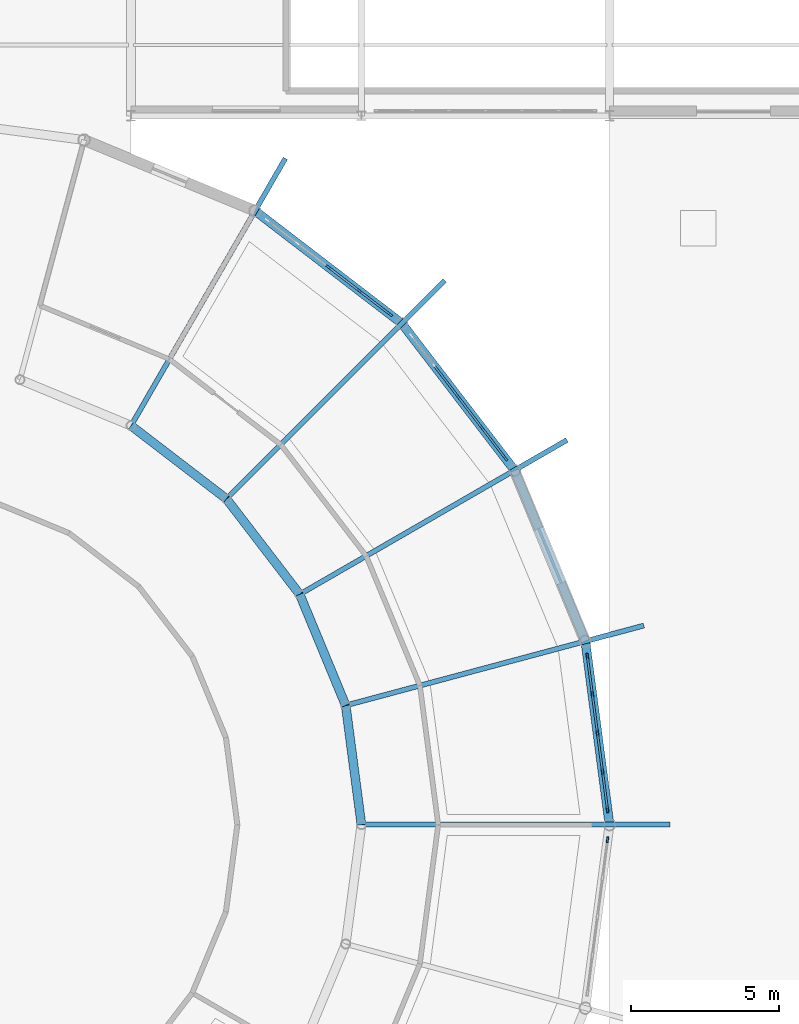
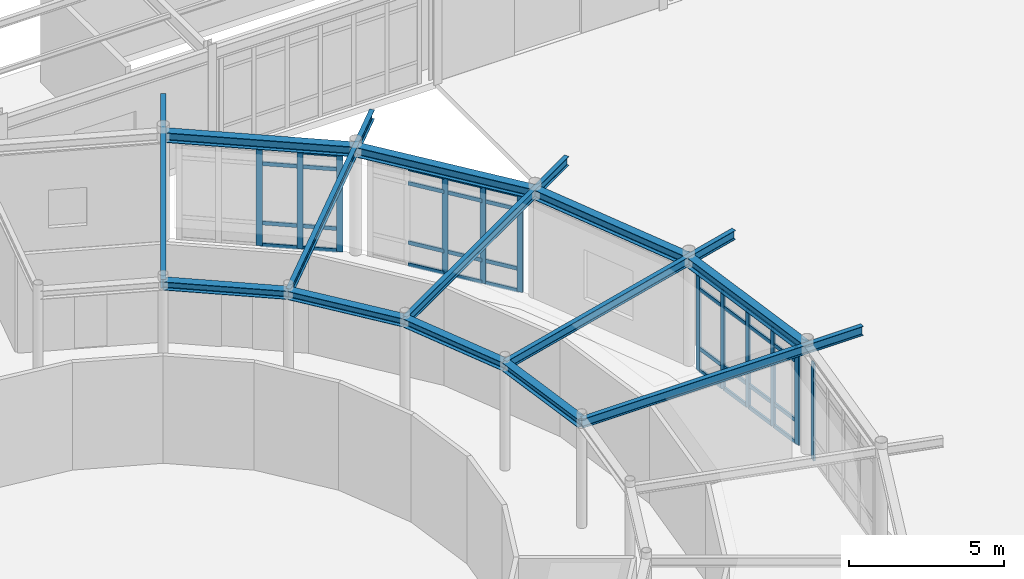
# One storey, part 46 of 101: 47 members, 13 beams, 4 elements without a shape of their own.
"""IFC4 building model written with IfcOpenShell, lengths in metres."""

from ifc_helpers import new_model, si_unit, derived_unit, direction, frame, origin, origin_2d, place, context, subcontext, project, spatial, rectangle, i_section, extrude, material, layer, layer_set, material_profile, profile_set, type_object, element, aggregate, save


model = new_model("IFC4")

# Units and contexts
model_context = context("Model", 3, precision=1e-05, world=origin(), true_north=direction((0.0, 1.0)))
body_context = subcontext(model_context, "Body", "Model", "MODEL_VIEW")
ifc_project = project(units=[si_unit("LENGTHUNIT", "METRE"), si_unit("AREAUNIT", "SQUARE_METRE"), si_unit("VOLUMEUNIT", "CUBIC_METRE"), si_unit("PLANEANGLEUNIT", "RADIAN"), si_unit("MASSUNIT", "GRAM", prefix="KILO"), derived_unit("THERMALTRANSMITTANCEUNIT", [(si_unit("POWERUNIT", "WATT"), 1), (si_unit("AREAUNIT", "SQUARE_METRE"), -1), (si_unit("THERMODYNAMICTEMPERATUREUNIT", "KELVIN"), -1)])], contexts=[model_context])

# Site, building, storey
site_placement = place(None, origin())
site = spatial("IfcSite", under=ifc_project, at=site_placement, CompositionType="ELEMENT")
building_placement = place(site_placement, origin())
building = spatial("IfcBuilding", under=site, at=building_placement, Name="Yasenodar Specialist Clinic", CompositionType="ELEMENT")
storey_placement = place(building_placement, origin())
storey = spatial("IfcBuildingStorey", under=building, at=storey_placement, Name="L00", CompositionType="ELEMENT", Elevation=0.0)

# Beams
ifc_material_1 = material(Name="Steel S355", Category="steel")
ifc_material_profile_1 = material_profile(ifc_material_1, i_section(OverallWidth=0.300048828125, OverallDepth=0.330078125, WebThickness=0.009521484375, FlangeThickness=0.0166015625, FilletRadius=0.027099609375, at=origin_2d()), Name="HEA 340")
ifc_profile_set_1 = profile_set([ifc_material_profile_1], Name="Steel S355")
beam_type_1 = type_object("IfcBeamType", Name="BM-HEA340", PredefinedType="BEAM", material=ifc_profile_set_1)
for number, where, z_axis, x_axis, name in (
    (1, (96.60009765625, 58.800048828125, 4.0849609375), (-0.130569268018, 0.991439189385, 0.0), (-0.991439189385, -0.130569268018, 0.0), "L00 Drum V1 Inner Ring Beam"),
    (2, (96.068359375, 62.837646484375, 4.0849609375), (-0.382660650645, 0.92388896868, 0.0), (-0.92388896868, -0.382660650645, 0.0), "L00 Drum V1 Inner Ring Beam"),
):
    element("IfcBeam", number, at=place(storey_placement, frame(where, z_axis=z_axis, x_axis=x_axis)), inside=storey, type_object=beam_type_1, Name=name, PredefinedType="BEAM", context=body_context, shape_type="SweptSolid", body=[
        extrude(i_section(OverallWidth=0.300048828125, OverallDepth=0.330078125, WebThickness=0.009521484375, FlangeThickness=0.0166015625, FilletRadius=0.027099609375, at=origin_2d()), origin(), (0.0, 0.0, 1.0), 4.072509765625),
    ])
beam_1_placement = place(storey_placement, frame((94.510009765625, 66.60009765625, 4.0849609375), z_axis=(-0.60875999388, 0.793354441502, 0.0), x_axis=(-0.793354441502, -0.60875999388, 0.0)))
element("IfcBeam", 3, at=beam_1_placement, inside=storey, type_object=beam_type_1, Name="L00 Drum V1 Inner Ring Beam", PredefinedType="BEAM", context=body_context, shape_type="SweptSolid", body=[
    extrude(i_section(OverallWidth=0.300048828125, OverallDepth=0.330078125, WebThickness=0.009521484375, FlangeThickness=0.0166015625, FilletRadius=0.027099609375, at=origin_2d()), origin(), (0.0, 0.0, 1.0), 4.072265625),
])
beam_2_placement = place(storey_placement, frame((92.031005859375, 69.830810546875, 4.0849609375), z_axis=(-0.793347704909, 0.608768773111, 0.0), x_axis=(-0.608768773111, -0.793347704909, 0.0)))
element("IfcBeam", 4, at=beam_2_placement, inside=storey, type_object=beam_type_1, Name="L00 Drum V1 Inner Ring Beam", PredefinedType="BEAM", context=body_context, shape_type="SweptSolid", body=[
    extrude(i_section(OverallWidth=0.300048828125, OverallDepth=0.330078125, WebThickness=0.009521484375, FlangeThickness=0.0166015625, FilletRadius=0.027099609375, at=origin_2d()), origin(), (0.0, 0.0, 1.0), 4.072509765625),
])
ifc_material_profile_2 = material_profile(ifc_material_1, i_section(OverallWidth=0.300048828125, OverallDepth=0.389892578125, WebThickness=0.010986328125, FlangeThickness=0.01904296875, FilletRadius=0.027099609375, at=origin_2d()), Name="HEA 400")
ifc_profile_set_2 = profile_set([ifc_material_profile_2], Name="Steel S355")
beam_type_2 = type_object("IfcBeamType", Name="BM-HEA400", PredefinedType="BEAM", material=ifc_profile_set_2)
beam_3_placement = place(storey_placement, frame((105.0, 58.800048828125, 4.054931640625), z_axis=(-0.130540192224, 0.991443018138, 0.0), x_axis=(-0.991443018138, -0.130540192224, 0.0)))
element("IfcBeam", 5, at=beam_3_placement, inside=storey, type_object=beam_type_2, Name="L00 Drum V1 Perimeter Ring Beam", PredefinedType="BEAM", context=body_context, shape_type="SweptSolid", body=[
    extrude(i_section(OverallWidth=0.300048828125, OverallDepth=0.389892578125, WebThickness=0.010986328125, FlangeThickness=0.01904296875, FilletRadius=0.027099609375, at=origin_2d()), origin(), (0.0, 0.0, 1.0), 6.265380859375),
])
for number, where, z_axis, x_axis, name in (
    (6, (104.18212890625, 65.01171875, 4.054931640625), (-0.382663829839, 0.9238876519, 0.0), (-0.9238876519, -0.382663829839, 0.0), "L00 Drum V1 Perimeter Ring Beam"),
    (7, (101.78466796875, 70.800048828125, 4.054931640625), (-0.608761180103, 0.793353531283, 0.0), (-0.793353531283, -0.608761180103, 0.0), "L00 Drum V1 Perimeter Ring Beam"),
):
    element("IfcBeam", number, at=place(storey_placement, frame(where, z_axis=z_axis, x_axis=x_axis)), inside=storey, type_object=beam_type_2, Name=name, PredefinedType="BEAM", context=body_context, shape_type="SweptSolid", body=[
        extrude(i_section(OverallWidth=0.300048828125, OverallDepth=0.389892578125, WebThickness=0.010986328125, FlangeThickness=0.01904296875, FilletRadius=0.027099609375, at=origin_2d()), origin(), (0.0, 0.0, 1.0), 6.26513671875),
    ])
beam_4_placement = place(storey_placement, frame((97.970703125, 75.7705078125, 4.054931640625), z_axis=(-0.793349152542, 0.608766886551, 0.0), x_axis=(-0.608766886551, -0.793349152542, 0.0)))
element("IfcBeam", 8, at=beam_4_placement, inside=storey, type_object=beam_type_2, Name="L00 Drum V1 Perimeter Ring Beam", PredefinedType="BEAM", context=body_context, shape_type="SweptSolid", body=[
    extrude(i_section(OverallWidth=0.300048828125, OverallDepth=0.389892578125, WebThickness=0.010986328125, FlangeThickness=0.01904296875, FilletRadius=0.027099609375, at=origin_2d()), origin(), (0.0, 0.0, 1.0), 6.265380859375),
])
ifc_material_profile_3 = material_profile(ifc_material_1, i_section(OverallWidth=0.169921875, OverallDepth=0.360107421875, WebThickness=0.008056640625, FlangeThickness=0.0126953125, FilletRadius=0.01806640625, at=origin_2d()), Name="IPE 360")
ifc_profile_set_3 = profile_set([ifc_material_profile_3], Name="Steel S355")
beam_type_3 = type_object("IfcBeamType", Name="BM-IPE360", PredefinedType="BEAM", material=ifc_profile_set_3)
for number, where, z_axis, x_axis, name in (
    (9, (96.60009765625, 58.800048828125, 4.070068359375), (1.0, 0.0, 0.0), (0.0, 1.0, 0.0), "L00 Drum V1 Radial Back-Spanned Cantilever Beam"),
    (10, (96.068359375, 62.837646484375, 4.070068359375), (0.965927925162, 0.258811211874, 0.0), (-0.258811211874, 0.965927925162, 0.0), "L00 Drum V1 Radial Back-Spanned Cantilever Beam"),
    (11, (94.510009765625, 66.60009765625, 4.070068359375), (0.866033467715, 0.499986032603, 0.0), (-0.499986032603, 0.866033467715, 0.0), "L00 Drum V1 Radial Back-Spanned Cantilever Beam"),
    (12, (92.031005859375, 69.830810546875, 4.070068359375), (0.707095099746, 0.707118462434, 0.0), (-0.707118462434, 0.707095099746, 0.0), "L00 Drum V1 Radial Back-Spanned Cantilever Beam"),
    (13, (88.800048828125, 72.31005859375, 4.070068359375), (0.499986032603, 0.866033467715, 0.0), (-0.866033467715, 0.499986032603, 0.0), "L00 Drum V1 Radial Back-Spanned Cantilever Beam"),
):
    element("IfcBeam", number, at=place(storey_placement, frame(where, z_axis=z_axis, x_axis=x_axis)), inside=storey, type_object=beam_type_3, Name=name, PredefinedType="BEAM", context=body_context, shape_type="SweptSolid", body=[
        extrude(i_section(OverallWidth=0.169921875, OverallDepth=0.360107421875, WebThickness=0.008056640625, FlangeThickness=0.0126953125, FilletRadius=0.01806640625, at=origin_2d()), origin(), (0.0, 0.0, 1.0), 10.449951171875),
    ])

# Curtain wall, members
ifc_material_2 = material(Name="Bronze Anodized Aluminium and Triple Low-E Glass", Category="aluminium")
ifc_layer = layer(ifc_material_2, 0.1669921875)
ifc_layer_set = layer_set([ifc_layer], Name="Bronze Anodized Aluminium and Triple Low-E Glass")
curtain_wall_type = type_object("IfcCurtainWallType", Name="CW-SYS-01", PredefinedType="USERDEFINED", material=ifc_layer_set)
curtain_wall_1_placement = place(storey_placement, origin())
curtain_wall_1 = element("IfcCurtainWall", 14, at=curtain_wall_1_placement, inside=storey, type_object=curtain_wall_type, Name="L00 Unitised Curtain Wall 001", ObjectType="UNITISED CURTAIN WALL", PredefinedType="USERDEFINED")
ifc_material_3 = material(Name="Bronze Anodized Aluminium", Category="aluminium")
ifc_material_profile_4 = material_profile(ifc_material_3, rectangle(XDim=0.070068359375, YDim=0.199951171875, at=origin_2d()), Name="CW-MULL 70x200")
ifc_profile_set_4 = profile_set([ifc_material_profile_4], Name="Bronze Anodized Aluminium")
member_type_1 = type_object("IfcMemberType", Name="CW-MULL-200", PredefinedType="MULLION", material=ifc_profile_set_4)
member_1_placement = place(storey_placement, frame((104.24951171875, 64.501220703125, 0.0), z_axis=(0.0, 0.0, 1.0), x_axis=(0.991446787601, 0.13051156024, 0.0)))
member_1 = element("IfcMember", 15, at=member_1_placement, type_object=member_type_1, Name="CW-01 mullion 1", PredefinedType="MULLION", context=body_context, shape_type="SweptSolid", body=[
    extrude(rectangle(XDim=0.070068359375, YDim=0.199951171875, at=origin_2d()), origin(), (0.0, 0.0, 1.0), 3.837890625),
])
member_2_placement = place(storey_placement, frame((104.41796875, 63.220703125, 0.0), z_axis=(0.0, 0.0, 1.0), x_axis=(0.991446787601, 0.13051156024, 0.0)))
member_2 = element("IfcMember", 16, at=member_2_placement, type_object=member_type_1, Name="CW-01 mullion 2", PredefinedType="MULLION", context=body_context, shape_type="SweptSolid", body=[
    extrude(rectangle(XDim=0.070068359375, YDim=0.199951171875, at=origin_2d()), origin(), (0.0, 0.0, 1.0), 3.837890625),
])
member_3_placement = place(storey_placement, frame((104.591064453125, 61.90576171875, 0.0), z_axis=(0.0, 0.0, 1.0), x_axis=(0.991446787601, 0.13051156024, 0.0)))
member_3 = element("IfcMember", 17, at=member_3_placement, type_object=member_type_1, Name="CW-01 mullion 3", PredefinedType="MULLION", context=body_context, shape_type="SweptSolid", body=[
    extrude(rectangle(XDim=0.070068359375, YDim=0.199951171875, at=origin_2d()), origin(), (0.0, 0.0, 1.0), 3.837890625),
])
member_4_placement = place(storey_placement, frame((104.76416015625, 60.5908203125, 0.0), z_axis=(0.0, 0.0, 1.0), x_axis=(0.991446787601, 0.13051156024, 0.0)))
member_4 = element("IfcMember", 18, at=member_4_placement, type_object=member_type_1, Name="CW-01 mullion 4", PredefinedType="MULLION", context=body_context, shape_type="SweptSolid", body=[
    extrude(rectangle(XDim=0.070068359375, YDim=0.199951171875, at=origin_2d()), origin(), (0.0, 0.0, 1.0), 3.837890625),
])
member_5_placement = place(storey_placement, frame((104.9326171875, 59.310546875, 0.0), z_axis=(0.0, 0.0, 1.0), x_axis=(0.991446787601, 0.13051156024, 0.0)))
member_5 = element("IfcMember", 19, at=member_5_placement, type_object=member_type_1, Name="CW-01 mullion 5", PredefinedType="MULLION", context=body_context, shape_type="SweptSolid", body=[
    extrude(rectangle(XDim=0.070068359375, YDim=0.199951171875, at=origin_2d()), origin(), (0.0, 0.0, 1.0), 3.837890625),
])

curtain_wall_2_placement = place(storey_placement, origin())
curtain_wall_2 = element("IfcCurtainWall", 20, at=curtain_wall_2_placement, inside=storey, type_object=curtain_wall_type, Name="L00 Unitised Curtain Wall 002", ObjectType="UNITISED CURTAIN WALL", PredefinedType="USERDEFINED")
member_6_placement = place(storey_placement, frame((99.877685546875, 73.285400390625, 0.0), z_axis=(0.0, 0.0, 1.0), x_axis=(0.793360558574, 0.608752021844, 0.0)))
member_6 = element("IfcMember", 21, at=member_6_placement, type_object=member_type_1, Name="CW-01 mullion 3", PredefinedType="MULLION", context=body_context, shape_type="SweptSolid", body=[
    extrude(rectangle(XDim=0.070068359375, YDim=0.199951171875, at=origin_2d()), origin(), (0.0, 0.0, 1.0), 3.837890625),
])
member_7_placement = place(storey_placement, frame((100.68505859375, 72.233154296875, 0.0), z_axis=(0.0, 0.0, 1.0), x_axis=(0.793360558574, 0.608752021844, 0.0)))
member_7 = element("IfcMember", 22, at=member_7_placement, type_object=member_type_1, Name="CW-01 mullion 4", PredefinedType="MULLION", context=body_context, shape_type="SweptSolid", body=[
    extrude(rectangle(XDim=0.070068359375, YDim=0.199951171875, at=origin_2d()), origin(), (0.0, 0.0, 1.0), 3.837890625),
])
member_8_placement = place(storey_placement, frame((101.47119140625, 71.20849609375, 0.0), z_axis=(0.0, 0.0, 1.0), x_axis=(0.793360558574, 0.608752021844, 0.0)))
member_8 = element("IfcMember", 23, at=member_8_placement, type_object=member_type_1, Name="CW-01 mullion 5", PredefinedType="MULLION", context=body_context, shape_type="SweptSolid", body=[
    extrude(rectangle(XDim=0.070068359375, YDim=0.199951171875, at=origin_2d()), origin(), (0.0, 0.0, 1.0), 3.837890625),
])

curtain_wall_3_placement = place(storey_placement, origin())
curtain_wall_3 = element("IfcCurtainWall", 24, at=curtain_wall_3_placement, inside=storey, type_object=curtain_wall_type, Name="L00 Unitised Curtain Wall 003", ObjectType="UNITISED CURTAIN WALL", PredefinedType="USERDEFINED")
member_9_placement = place(storey_placement, frame((95.4853515625, 77.677490234375, 0.0), z_axis=(0.0, 0.0, 1.0), x_axis=(0.608752021844, 0.793360558574, 0.0)))
member_9 = element("IfcMember", 25, at=member_9_placement, type_object=member_type_1, Name="CW-01 mullion 3", PredefinedType="MULLION", context=body_context, shape_type="SweptSolid", body=[
    extrude(rectangle(XDim=0.070068359375, YDim=0.199951171875, at=origin_2d()), origin(), (0.0, 0.0, 1.0), 3.837890625),
])
member_10_placement = place(storey_placement, frame((96.53759765625, 76.8701171875, 0.0), z_axis=(0.0, 0.0, 1.0), x_axis=(0.608752021844, 0.793360558574, 0.0)))
member_10 = element("IfcMember", 26, at=member_10_placement, type_object=member_type_1, Name="CW-01 mullion 4", PredefinedType="MULLION", context=body_context, shape_type="SweptSolid", body=[
    extrude(rectangle(XDim=0.070068359375, YDim=0.199951171875, at=origin_2d()), origin(), (0.0, 0.0, 1.0), 3.837890625),
])
member_11_placement = place(storey_placement, frame((97.56201171875, 76.083984375, 0.0), z_axis=(0.0, 0.0, 1.0), x_axis=(0.608752021844, 0.793360558574, 0.0)))
member_11 = element("IfcMember", 27, at=member_11_placement, type_object=member_type_1, Name="CW-01 mullion 5", PredefinedType="MULLION", context=body_context, shape_type="SweptSolid", body=[
    extrude(rectangle(XDim=0.070068359375, YDim=0.199951171875, at=origin_2d()), origin(), (0.0, 0.0, 1.0), 3.837890625),
])

# Curtain wall, member
curtain_wall_4_placement = place(storey_placement, origin())
curtain_wall_4 = element("IfcCurtainWall", 28, at=curtain_wall_4_placement, inside=storey, type_object=curtain_wall_type, Name="L00 Unitised Curtain Wall 013", ObjectType="UNITISED CURTAIN WALL", PredefinedType="USERDEFINED")
member_12_placement = place(storey_placement, frame((104.9326171875, 58.289306640625, 0.0), z_axis=(0.0, 0.0, 1.0), x_axis=(0.991446787601, -0.13051156024, 0.0)))
member_12 = element("IfcMember", 29, at=member_12_placement, type_object=member_type_1, Name="CW-01 mullion 1", PredefinedType="MULLION", context=body_context, shape_type="SweptSolid", body=[
    extrude(rectangle(XDim=0.070068359375, YDim=0.199951171875, at=origin_2d()), origin(), (0.0, 0.0, 1.0), 3.837890625),
])
aggregate(curtain_wall_4, [member_12])

# Member
ifc_material_profile_5 = material_profile(ifc_material_3, rectangle(XDim=0.070068359375, YDim=0.14990234375, at=origin_2d()), Name="CW-TRAN 70x150")
ifc_profile_set_5 = profile_set([ifc_material_profile_5], Name="Bronze Anodized Aluminium")
member_type_2 = type_object("IfcMemberType", Name="CW-TRAN-150", PredefinedType="USERDEFINED", material=ifc_profile_set_5)
member_13_placement = place(storey_placement, frame((104.254150390625, 64.46630859375, 0.034912109375), z_axis=(0.130356246751, -0.991467220302, 0.0), x_axis=(0.991467220302, 0.130356246751, 0.0)))
member_13 = element("IfcMember", 30, at=member_13_placement, type_object=member_type_2, Name="CW-01 transom 1.1", ObjectType="TRANSOM", PredefinedType="USERDEFINED", context=body_context, shape_type="SweptSolid", body=[
    extrude(rectangle(XDim=0.070068359375, YDim=0.14990234375, at=origin_2d()), origin(), (0.0, 0.0, 1.0), 1.22119140625),
])

member_14_placement = place(storey_placement, frame((104.254150390625, 64.46630859375, 0.89990234375), z_axis=(0.130356246751, -0.991467220302, 0.0), x_axis=(0.991467220302, 0.130356246751, 0.0)))
member_14 = element("IfcMember", 31, at=member_14_placement, type_object=member_type_2, Name="CW-01 transom 1.2", ObjectType="TRANSOM", PredefinedType="USERDEFINED", context=body_context, shape_type="SweptSolid", body=[
    extrude(rectangle(XDim=0.070068359375, YDim=0.14990234375, at=origin_2d()), origin(), (0.0, 0.0, 1.0), 1.22119140625),
])

member_15_placement = place(storey_placement, frame((104.254150390625, 64.46630859375, 3.238037109375), z_axis=(0.130356246751, -0.991467220302, 0.0), x_axis=(0.991467220302, 0.130356246751, 0.0)))
member_15 = element("IfcMember", 32, at=member_15_placement, type_object=member_type_2, Name="CW-01 transom 1.3", ObjectType="TRANSOM", PredefinedType="USERDEFINED", context=body_context, shape_type="SweptSolid", body=[
    extrude(rectangle(XDim=0.070068359375, YDim=0.14990234375, at=origin_2d()), origin(), (0.0, 0.0, 1.0), 1.22119140625),
])

member_16_placement = place(storey_placement, frame((104.254150390625, 64.46630859375, 3.802978515625), z_axis=(0.130356246751, -0.991467220302, 0.0), x_axis=(0.991467220302, 0.130356246751, 0.0)))
member_16 = element("IfcMember", 33, at=member_16_placement, type_object=member_type_2, Name="CW-01 transom 1.4", ObjectType="TRANSOM", PredefinedType="USERDEFINED", context=body_context, shape_type="SweptSolid", body=[
    extrude(rectangle(XDim=0.070068359375, YDim=0.14990234375, at=origin_2d()), origin(), (0.0, 0.0, 1.0), 1.22119140625),
])

member_17_placement = place(storey_placement, frame((104.422607421875, 63.18603515625, 0.034912109375), z_axis=(0.130394189908, -0.991462230868, 0.0), x_axis=(0.991462230868, 0.130394189908, 0.0)))
member_17 = element("IfcMember", 34, at=member_17_placement, type_object=member_type_2, Name="CW-01 transom 2.1", ObjectType="TRANSOM", PredefinedType="USERDEFINED", context=body_context, shape_type="SweptSolid", body=[
    extrude(rectangle(XDim=0.070068359375, YDim=0.14990234375, at=origin_2d()), origin(), (0.0, 0.0, 1.0), 1.25634765625),
])

member_18_placement = place(storey_placement, frame((104.422607421875, 63.18603515625, 0.89990234375), z_axis=(0.130394189908, -0.991462230868, 0.0), x_axis=(0.991462230868, 0.130394189908, 0.0)))
member_18 = element("IfcMember", 35, at=member_18_placement, type_object=member_type_2, Name="CW-01 transom 2.2", ObjectType="TRANSOM", PredefinedType="USERDEFINED", context=body_context, shape_type="SweptSolid", body=[
    extrude(rectangle(XDim=0.070068359375, YDim=0.14990234375, at=origin_2d()), origin(), (0.0, 0.0, 1.0), 1.25634765625),
])

member_19_placement = place(storey_placement, frame((104.422607421875, 63.18603515625, 3.238037109375), z_axis=(0.130394189908, -0.991462230868, 0.0), x_axis=(0.991462230868, 0.130394189908, 0.0)))
member_19 = element("IfcMember", 36, at=member_19_placement, type_object=member_type_2, Name="CW-01 transom 2.3", ObjectType="TRANSOM", PredefinedType="USERDEFINED", context=body_context, shape_type="SweptSolid", body=[
    extrude(rectangle(XDim=0.070068359375, YDim=0.14990234375, at=origin_2d()), origin(), (0.0, 0.0, 1.0), 1.25634765625),
])

member_20_placement = place(storey_placement, frame((104.422607421875, 63.18603515625, 3.802978515625), z_axis=(0.130394189908, -0.991462230868, 0.0), x_axis=(0.991462230868, 0.130394189908, 0.0)))
member_20 = element("IfcMember", 37, at=member_20_placement, type_object=member_type_2, Name="CW-01 transom 2.4", ObjectType="TRANSOM", PredefinedType="USERDEFINED", context=body_context, shape_type="SweptSolid", body=[
    extrude(rectangle(XDim=0.070068359375, YDim=0.14990234375, at=origin_2d()), origin(), (0.0, 0.0, 1.0), 1.25634765625),
])

member_21_placement = place(storey_placement, frame((104.595703125, 61.87109375, 0.034912109375), z_axis=(0.130394189908, -0.991462230868, 0.0), x_axis=(0.991462230868, 0.130394189908, 0.0)))
member_21 = element("IfcMember", 38, at=member_21_placement, type_object=member_type_2, Name="CW-01 transom 3.1", ObjectType="TRANSOM", PredefinedType="USERDEFINED", context=body_context, shape_type="SweptSolid", body=[
    extrude(rectangle(XDim=0.070068359375, YDim=0.14990234375, at=origin_2d()), origin(), (0.0, 0.0, 1.0), 1.25634765625),
])

member_22_placement = place(storey_placement, frame((104.595703125, 61.87109375, 0.89990234375), z_axis=(0.130394189908, -0.991462230868, 0.0), x_axis=(0.991462230868, 0.130394189908, 0.0)))
member_22 = element("IfcMember", 39, at=member_22_placement, type_object=member_type_2, Name="CW-01 transom 3.2", ObjectType="TRANSOM", PredefinedType="USERDEFINED", context=body_context, shape_type="SweptSolid", body=[
    extrude(rectangle(XDim=0.070068359375, YDim=0.14990234375, at=origin_2d()), origin(), (0.0, 0.0, 1.0), 1.25634765625),
])

member_23_placement = place(storey_placement, frame((104.595703125, 61.87109375, 3.238037109375), z_axis=(0.130394189908, -0.991462230868, 0.0), x_axis=(0.991462230868, 0.130394189908, 0.0)))
member_23 = element("IfcMember", 40, at=member_23_placement, type_object=member_type_2, Name="CW-01 transom 3.3", ObjectType="TRANSOM", PredefinedType="USERDEFINED", context=body_context, shape_type="SweptSolid", body=[
    extrude(rectangle(XDim=0.070068359375, YDim=0.14990234375, at=origin_2d()), origin(), (0.0, 0.0, 1.0), 1.25634765625),
])

member_24_placement = place(storey_placement, frame((104.595703125, 61.87109375, 3.802978515625), z_axis=(0.130394189908, -0.991462230868, 0.0), x_axis=(0.991462230868, 0.130394189908, 0.0)))
member_24 = element("IfcMember", 41, at=member_24_placement, type_object=member_type_2, Name="CW-01 transom 3.4", ObjectType="TRANSOM", PredefinedType="USERDEFINED", context=body_context, shape_type="SweptSolid", body=[
    extrude(rectangle(XDim=0.070068359375, YDim=0.14990234375, at=origin_2d()), origin(), (0.0, 0.0, 1.0), 1.25634765625),
])

member_25_placement = place(storey_placement, frame((104.768798828125, 60.55615234375, 0.034912109375), z_axis=(0.130526901908, -0.991444767941, 0.0), x_axis=(0.991444767941, 0.130526901908, 0.0)))
member_25 = element("IfcMember", 42, at=member_25_placement, type_object=member_type_2, Name="CW-01 transom 4.1", ObjectType="TRANSOM", PredefinedType="USERDEFINED", context=body_context, shape_type="SweptSolid", body=[
    extrude(rectangle(XDim=0.070068359375, YDim=0.14990234375, at=origin_2d()), origin(), (0.0, 0.0, 1.0), 1.221435546875),
])

member_26_placement = place(storey_placement, frame((104.768798828125, 60.55615234375, 0.89990234375), z_axis=(0.130526901908, -0.991444767941, 0.0), x_axis=(0.991444767941, 0.130526901908, 0.0)))
member_26 = element("IfcMember", 43, at=member_26_placement, type_object=member_type_2, Name="CW-01 transom 4.2", ObjectType="TRANSOM", PredefinedType="USERDEFINED", context=body_context, shape_type="SweptSolid", body=[
    extrude(rectangle(XDim=0.070068359375, YDim=0.14990234375, at=origin_2d()), origin(), (0.0, 0.0, 1.0), 1.221435546875),
])

member_27_placement = place(storey_placement, frame((104.768798828125, 60.55615234375, 3.238037109375), z_axis=(0.130526901908, -0.991444767941, 0.0), x_axis=(0.991444767941, 0.130526901908, 0.0)))
member_27 = element("IfcMember", 44, at=member_27_placement, type_object=member_type_2, Name="CW-01 transom 4.3", ObjectType="TRANSOM", PredefinedType="USERDEFINED", context=body_context, shape_type="SweptSolid", body=[
    extrude(rectangle(XDim=0.070068359375, YDim=0.14990234375, at=origin_2d()), origin(), (0.0, 0.0, 1.0), 1.221435546875),
])

member_28_placement = place(storey_placement, frame((104.768798828125, 60.55615234375, 3.802978515625), z_axis=(0.130526901908, -0.991444767941, 0.0), x_axis=(0.991444767941, 0.130526901908, 0.0)))
member_28 = element("IfcMember", 45, at=member_28_placement, type_object=member_type_2, Name="CW-01 transom 4.4", ObjectType="TRANSOM", PredefinedType="USERDEFINED", context=body_context, shape_type="SweptSolid", body=[
    extrude(rectangle(XDim=0.070068359375, YDim=0.14990234375, at=origin_2d()), origin(), (0.0, 0.0, 1.0), 1.221435546875),
])

aggregate(curtain_wall_1, [member_1, member_2, member_3, member_4, member_5, member_13, member_14, member_15, member_16, member_17, member_18, member_19, member_20, member_21, member_22, member_23, member_24, member_25, member_26, member_27, member_28])

member_29_placement = place(storey_placement, frame((99.091552734375, 74.309814453125, 0.034912109375), z_axis=(0.608639587083, -0.793446818026, 0.0), x_axis=(0.793446818026, 0.608639587083, 0.0)))
member_29 = element("IfcMember", 46, at=member_29_placement, type_object=member_type_2, Name="CW-01 transom 2.1", ObjectType="TRANSOM", PredefinedType="USERDEFINED", context=body_context, shape_type="SweptSolid", body=[
    extrude(rectangle(XDim=0.070068359375, YDim=0.14990234375, at=origin_2d()), origin(), (0.0, 0.0, 1.0), 1.25634765625),
])

member_30_placement = place(storey_placement, frame((99.091552734375, 74.309814453125, 0.89990234375), z_axis=(0.608639587083, -0.793446818026, 0.0), x_axis=(0.793446818026, 0.608639587083, 0.0)))
member_30 = element("IfcMember", 47, at=member_30_placement, type_object=member_type_2, Name="CW-01 transom 2.2", ObjectType="TRANSOM", PredefinedType="USERDEFINED", context=body_context, shape_type="SweptSolid", body=[
    extrude(rectangle(XDim=0.070068359375, YDim=0.14990234375, at=origin_2d()), origin(), (0.0, 0.0, 1.0), 1.25634765625),
])

member_31_placement = place(storey_placement, frame((99.091552734375, 74.309814453125, 3.238037109375), z_axis=(0.608639587083, -0.793446818026, 0.0), x_axis=(0.793446818026, 0.608639587083, 0.0)))
member_31 = element("IfcMember", 48, at=member_31_placement, type_object=member_type_2, Name="CW-01 transom 2.3", ObjectType="TRANSOM", PredefinedType="USERDEFINED", context=body_context, shape_type="SweptSolid", body=[
    extrude(rectangle(XDim=0.070068359375, YDim=0.14990234375, at=origin_2d()), origin(), (0.0, 0.0, 1.0), 1.25634765625),
])

member_32_placement = place(storey_placement, frame((99.091552734375, 74.309814453125, 3.802978515625), z_axis=(0.608639587083, -0.793446818026, 0.0), x_axis=(0.793446818026, 0.608639587083, 0.0)))
member_32 = element("IfcMember", 49, at=member_32_placement, type_object=member_type_2, Name="CW-01 transom 2.4", ObjectType="TRANSOM", PredefinedType="USERDEFINED", context=body_context, shape_type="SweptSolid", body=[
    extrude(rectangle(XDim=0.070068359375, YDim=0.14990234375, at=origin_2d()), origin(), (0.0, 0.0, 1.0), 1.25634765625),
])

member_33_placement = place(storey_placement, frame((99.89892578125, 73.257568359375, 0.034912109375), z_axis=(0.608639587083, -0.793446818026, 0.0), x_axis=(0.793446818026, 0.608639587083, 0.0)))
member_33 = element("IfcMember", 50, at=member_33_placement, type_object=member_type_2, Name="CW-01 transom 3.1", ObjectType="TRANSOM", PredefinedType="USERDEFINED", context=body_context, shape_type="SweptSolid", body=[
    extrude(rectangle(XDim=0.070068359375, YDim=0.14990234375, at=origin_2d()), origin(), (0.0, 0.0, 1.0), 1.25634765625),
])

member_34_placement = place(storey_placement, frame((99.89892578125, 73.257568359375, 0.89990234375), z_axis=(0.608639587083, -0.793446818026, 0.0), x_axis=(0.793446818026, 0.608639587083, 0.0)))
member_34 = element("IfcMember", 51, at=member_34_placement, type_object=member_type_2, Name="CW-01 transom 3.2", ObjectType="TRANSOM", PredefinedType="USERDEFINED", context=body_context, shape_type="SweptSolid", body=[
    extrude(rectangle(XDim=0.070068359375, YDim=0.14990234375, at=origin_2d()), origin(), (0.0, 0.0, 1.0), 1.25634765625),
])

member_35_placement = place(storey_placement, frame((99.89892578125, 73.257568359375, 3.238037109375), z_axis=(0.608639587083, -0.793446818026, 0.0), x_axis=(0.793446818026, 0.608639587083, 0.0)))
member_35 = element("IfcMember", 52, at=member_35_placement, type_object=member_type_2, Name="CW-01 transom 3.3", ObjectType="TRANSOM", PredefinedType="USERDEFINED", context=body_context, shape_type="SweptSolid", body=[
    extrude(rectangle(XDim=0.070068359375, YDim=0.14990234375, at=origin_2d()), origin(), (0.0, 0.0, 1.0), 1.25634765625),
])

member_36_placement = place(storey_placement, frame((99.89892578125, 73.257568359375, 3.802978515625), z_axis=(0.608639587083, -0.793446818026, 0.0), x_axis=(0.793446818026, 0.608639587083, 0.0)))
member_36 = element("IfcMember", 53, at=member_36_placement, type_object=member_type_2, Name="CW-01 transom 3.4", ObjectType="TRANSOM", PredefinedType="USERDEFINED", context=body_context, shape_type="SweptSolid", body=[
    extrude(rectangle(XDim=0.070068359375, YDim=0.14990234375, at=origin_2d()), origin(), (0.0, 0.0, 1.0), 1.25634765625),
])

member_37_placement = place(storey_placement, frame((100.706298828125, 72.205322265625, 0.034912109375), z_axis=(0.608695898449, -0.793403619358, 0.0), x_axis=(0.793403619358, 0.608695898449, 0.0)))
member_37 = element("IfcMember", 54, at=member_37_placement, type_object=member_type_2, Name="CW-01 transom 4.1", ObjectType="TRANSOM", PredefinedType="USERDEFINED", context=body_context, shape_type="SweptSolid", body=[
    extrude(rectangle(XDim=0.070068359375, YDim=0.14990234375, at=origin_2d()), origin(), (0.0, 0.0, 1.0), 1.22119140625),
])

member_38_placement = place(storey_placement, frame((100.706298828125, 72.205322265625, 0.89990234375), z_axis=(0.608695898449, -0.793403619358, 0.0), x_axis=(0.793403619358, 0.608695898449, 0.0)))
member_38 = element("IfcMember", 55, at=member_38_placement, type_object=member_type_2, Name="CW-01 transom 4.2", ObjectType="TRANSOM", PredefinedType="USERDEFINED", context=body_context, shape_type="SweptSolid", body=[
    extrude(rectangle(XDim=0.070068359375, YDim=0.14990234375, at=origin_2d()), origin(), (0.0, 0.0, 1.0), 1.22119140625),
])

member_39_placement = place(storey_placement, frame((100.706298828125, 72.205322265625, 3.238037109375), z_axis=(0.608695898449, -0.793403619358, 0.0), x_axis=(0.793403619358, 0.608695898449, 0.0)))
member_39 = element("IfcMember", 56, at=member_39_placement, type_object=member_type_2, Name="CW-01 transom 4.3", ObjectType="TRANSOM", PredefinedType="USERDEFINED", context=body_context, shape_type="SweptSolid", body=[
    extrude(rectangle(XDim=0.070068359375, YDim=0.14990234375, at=origin_2d()), origin(), (0.0, 0.0, 1.0), 1.22119140625),
])

member_40_placement = place(storey_placement, frame((100.706298828125, 72.205322265625, 3.802978515625), z_axis=(0.608695898449, -0.793403619358, 0.0), x_axis=(0.793403619358, 0.608695898449, 0.0)))
member_40 = element("IfcMember", 57, at=member_40_placement, type_object=member_type_2, Name="CW-01 transom 4.4", ObjectType="TRANSOM", PredefinedType="USERDEFINED", context=body_context, shape_type="SweptSolid", body=[
    extrude(rectangle(XDim=0.070068359375, YDim=0.14990234375, at=origin_2d()), origin(), (0.0, 0.0, 1.0), 1.22119140625),
])

aggregate(curtain_wall_2, [member_6, member_7, member_8, member_29, member_30, member_31, member_32, member_33, member_34, member_35, member_36, member_37, member_38, member_39, member_40])

member_41_placement = place(storey_placement, frame((95.51318359375, 77.65625, 0.034912109375), z_axis=(0.793374813585, -0.608733443446, 0.0), x_axis=(0.608733443446, 0.793374813585, 0.0)))
member_41 = element("IfcMember", 58, at=member_41_placement, type_object=member_type_2, Name="CW-01 transom 3.1", ObjectType="TRANSOM", PredefinedType="USERDEFINED", context=body_context, shape_type="SweptSolid", body=[
    extrude(rectangle(XDim=0.070068359375, YDim=0.14990234375, at=origin_2d()), origin(), (0.0, 0.0, 1.0), 1.256103515625),
])

member_42_placement = place(storey_placement, frame((95.51318359375, 77.65625, 0.89990234375), z_axis=(0.793374813585, -0.608733443446, 0.0), x_axis=(0.608733443446, 0.793374813585, 0.0)))
member_42 = element("IfcMember", 59, at=member_42_placement, type_object=member_type_2, Name="CW-01 transom 3.2", ObjectType="TRANSOM", PredefinedType="USERDEFINED", context=body_context, shape_type="SweptSolid", body=[
    extrude(rectangle(XDim=0.070068359375, YDim=0.14990234375, at=origin_2d()), origin(), (0.0, 0.0, 1.0), 1.256103515625),
])

member_43_placement = place(storey_placement, frame((95.51318359375, 77.65625, 3.238037109375), z_axis=(0.793374813585, -0.608733443446, 0.0), x_axis=(0.608733443446, 0.793374813585, 0.0)))
member_43 = element("IfcMember", 60, at=member_43_placement, type_object=member_type_2, Name="CW-01 transom 3.3", ObjectType="TRANSOM", PredefinedType="USERDEFINED", context=body_context, shape_type="SweptSolid", body=[
    extrude(rectangle(XDim=0.070068359375, YDim=0.14990234375, at=origin_2d()), origin(), (0.0, 0.0, 1.0), 1.256103515625),
])

member_44_placement = place(storey_placement, frame((96.5654296875, 76.848876953125, 0.034912109375), z_axis=(0.793329536598, -0.60879244933, 0.0), x_axis=(0.60879244933, 0.793329536598, 0.0)))
member_44 = element("IfcMember", 61, at=member_44_placement, type_object=member_type_2, Name="CW-01 transom 4.1", ObjectType="TRANSOM", PredefinedType="USERDEFINED", context=body_context, shape_type="SweptSolid", body=[
    extrude(rectangle(XDim=0.070068359375, YDim=0.14990234375, at=origin_2d()), origin(), (0.0, 0.0, 1.0), 1.22119140625),
])

member_45_placement = place(storey_placement, frame((96.5654296875, 76.848876953125, 0.89990234375), z_axis=(0.793329536598, -0.60879244933, 0.0), x_axis=(0.60879244933, 0.793329536598, 0.0)))
member_45 = element("IfcMember", 62, at=member_45_placement, type_object=member_type_2, Name="CW-01 transom 4.2", ObjectType="TRANSOM", PredefinedType="USERDEFINED", context=body_context, shape_type="SweptSolid", body=[
    extrude(rectangle(XDim=0.070068359375, YDim=0.14990234375, at=origin_2d()), origin(), (0.0, 0.0, 1.0), 1.22119140625),
])

member_46_placement = place(storey_placement, frame((96.5654296875, 76.848876953125, 3.238037109375), z_axis=(0.793329536598, -0.60879244933, 0.0), x_axis=(0.60879244933, 0.793329536598, 0.0)))
member_46 = element("IfcMember", 63, at=member_46_placement, type_object=member_type_2, Name="CW-01 transom 4.3", ObjectType="TRANSOM", PredefinedType="USERDEFINED", context=body_context, shape_type="SweptSolid", body=[
    extrude(rectangle(XDim=0.070068359375, YDim=0.14990234375, at=origin_2d()), origin(), (0.0, 0.0, 1.0), 1.22119140625),
])

member_47_placement = place(storey_placement, frame((96.5654296875, 76.848876953125, 3.802978515625), z_axis=(0.793329536598, -0.60879244933, 0.0), x_axis=(0.60879244933, 0.793329536598, 0.0)))
member_47 = element("IfcMember", 64, at=member_47_placement, type_object=member_type_2, Name="CW-01 transom 4.4", ObjectType="TRANSOM", PredefinedType="USERDEFINED", context=body_context, shape_type="SweptSolid", body=[
    extrude(rectangle(XDim=0.070068359375, YDim=0.14990234375, at=origin_2d()), origin(), (0.0, 0.0, 1.0), 1.22119140625),
])

aggregate(curtain_wall_3, [member_9, member_10, member_11, member_41, member_42, member_43, member_44, member_45, member_46, member_47])

save(model, "model.ifc")
